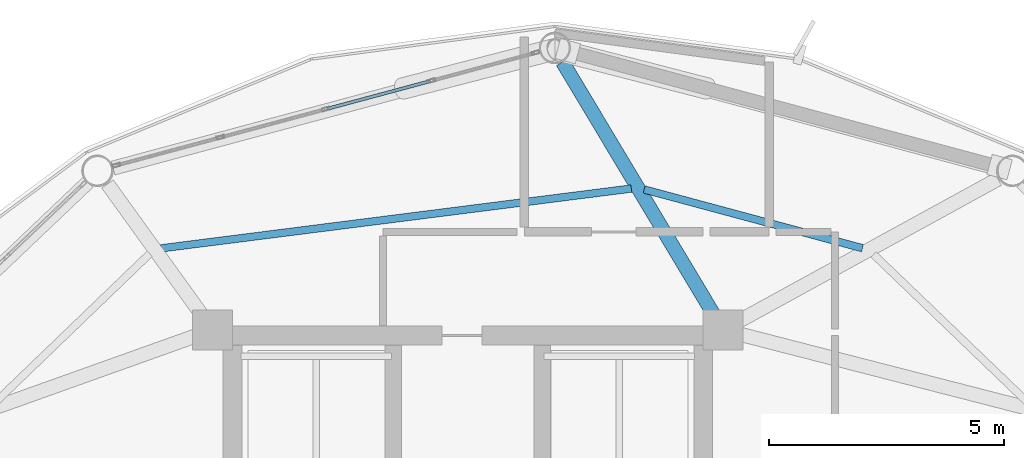
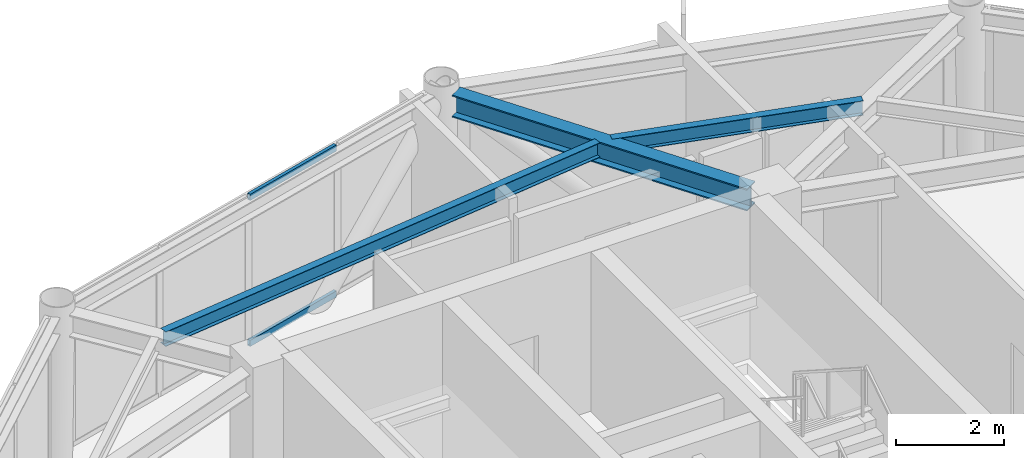
# One storey, part 20 of 29: 3 beams, 2 members, 1 element without a shape of its own.
"""IFC4 building model written with IfcOpenShell, lengths in metres."""

from ifc_helpers import new_model, si_unit, direction, frame, origin, origin_2d, place, context, subcontext, project, spatial, hollow_rectangle, i_section, extrude, material, layer, layer_set, material_profile, profile_set, type_object, element, aggregate, save


model = new_model("IFC4")

# Units and contexts
model_context = context("Model", 3, precision=1e-05, world=origin(), true_north=direction((0.0, 1.0)))
body_context = subcontext(model_context, "Body", "Model", "MODEL_VIEW")
ifc_project = project(units=[si_unit("LENGTHUNIT", "METRE"), si_unit("AREAUNIT", "SQUARE_METRE"), si_unit("VOLUMEUNIT", "CUBIC_METRE"), si_unit("PLANEANGLEUNIT", "RADIAN"), si_unit("MASSUNIT", "GRAM", prefix="KILO")], contexts=[model_context])

# Site, building, storey
site_placement = place(None, origin())
site = spatial("IfcSite", under=ifc_project, at=site_placement, CompositionType="ELEMENT")
building_placement = place(site_placement, origin())
building = spatial("IfcBuilding", under=site, at=building_placement, Name="Varnakorn Sky Granary", CompositionType="ELEMENT")
storey_placement = place(building_placement, frame((0.0, 0.0, 189.60009765625)))
storey = spatial("IfcBuildingStorey", under=building, at=storey_placement, Name="L47", CompositionType="ELEMENT", Elevation=189.60009765625)

# Beams
ifc_material_1 = material(Name="Steel S355JR", Category="steel")
ifc_material_profile_1 = material_profile(ifc_material_1, i_section(OverallWidth=0.300048828125, OverallDepth=0.5, WebThickness=0.014404296875, FlangeThickness=0.028076171875, at=origin_2d()), Name="HE 500 B")
ifc_profile_set_1 = profile_set([ifc_material_profile_1], Name="Steel S355JR")
beam_type_1 = type_object("IfcBeamType", Name="BM-RAD-Z4", PredefinedType="BEAM", material=ifc_profile_set_1)
beam_1_placement = place(storey_placement, frame((8.2119140625, 12.967529296875, 3.10986328125), z_axis=(-0.513815382376, 0.857900782628, 0.0), x_axis=(-0.857900782628, -0.513815382376, 0.0)))
element("IfcBeam", 1, at=beam_1_placement, inside=storey, type_object=beam_type_1, Name="Radial Floor Girder RG04 L47", PredefinedType="BEAM", context=body_context, shape_type="SweptSolid", body=[
    extrude(i_section(OverallWidth=0.300048828125, OverallDepth=0.5, WebThickness=0.014404296875, FlangeThickness=0.028076171875, at=origin_2d()), origin(), (0.0, 0.0, 1.0), 6.228271484375),
])
ifc_material_profile_2 = material_profile(ifc_material_1, i_section(OverallWidth=0.159912109375, OverallDepth=0.330078125, WebThickness=0.007568359375, FlangeThickness=0.011474609375, at=origin_2d()), Name="IPE 330")
ifc_profile_set_2 = profile_set([ifc_material_profile_2], Name="Steel S355JR")
beam_type_2 = type_object("IfcBeamType", Name="BM-SEC-Z4", PredefinedType="BEAM", material=ifc_profile_set_2)
beam_2_placement = place(storey_placement, frame((11.38330078125, 14.355224609375, 3.19482421875), z_axis=(-0.965650117976, 0.259845819002, 0.0), x_axis=(-0.259845819002, -0.965650117976, 0.0)))
element("IfcBeam", 2, at=beam_2_placement, inside=storey, type_object=beam_type_2, Name="Secondary Floor Chord Beam MSB03 L47", PredefinedType="BEAM", context=body_context, shape_type="SweptSolid", body=[
    extrude(i_section(OverallWidth=0.159912109375, OverallDepth=0.330078125, WebThickness=0.007568359375, FlangeThickness=0.011474609375, at=origin_2d()), origin(), (0.0, 0.0, 1.0), 4.80126953125),
])
beam_3_placement = place(storey_placement, frame((6.472900390625, 15.62158203125, 3.19482421875), z_axis=(-0.992014576544, -0.126123272734, 0.0), x_axis=(0.126123272734, -0.992014576544, 0.0)))
element("IfcBeam", 3, at=beam_3_placement, inside=storey, type_object=beam_type_2, Name="Secondary Floor Chord Beam MSB04 L47", PredefinedType="BEAM", context=body_context, shape_type="SweptSolid", body=[
    extrude(i_section(OverallWidth=0.159912109375, OverallDepth=0.330078125, WebThickness=0.007568359375, FlangeThickness=0.011474609375, at=origin_2d()), origin(), (0.0, 0.0, 1.0), 10.069580078125),
])

# Curtain wall, members
ifc_material_2 = material(Name="Anodised Bronze Aluminium Alloy 6063-T6", Category="aluminium")
ifc_layer = layer(ifc_material_2, 0.169921875, Name="Anodised Bronze Aluminium Alloy 6063-T6")
ifc_layer_set = layer_set([ifc_layer], Name="Anodised Bronze Aluminium Alloy 6063-T6")
curtain_wall_type = type_object("IfcCurtainWallType", Name="CW-LAB-1", PredefinedType="USERDEFINED", material=ifc_layer_set)
curtain_wall_placement = place(storey_placement, origin())
curtain_wall = element("IfcCurtainWall", 4, at=curtain_wall_placement, inside=storey, type_object=curtain_wall_type, Name="Unitised Curtain Wall CW5 CW-L47-B04", ObjectType="CURTAIN WALL", PredefinedType="USERDEFINED")
ifc_material_profile_3 = material_profile(ifc_material_2, hollow_rectangle(XDim=0.070068359375, YDim=0.139892578125, WallThickness=0.00341796875, at=origin_2d()), Name="ALU TRAN 70x140")
ifc_profile_set_3 = profile_set([ifc_material_profile_3], Name="Anodised Bronze Aluminium Alloy 6063-T6")
member_type = type_object("IfcMemberType", Name="CW-LAB-1-TRAN", PredefinedType="USERDEFINED", material=ifc_profile_set_3)
member_1_placement = place(storey_placement, frame((0.0205078125, 17.31787109375, 0.034912109375), z_axis=(0.965755601504, 0.259453499037, 0.0), x_axis=(-0.259453499037, 0.965755601504, 0.0)))
member_1 = element("IfcMember", 5, at=member_1_placement, type_object=member_type, Name="CW5 transom 3.1", ObjectType="TRANSOM", PredefinedType="USERDEFINED", context=body_context, shape_type="SweptSolid", body=[
    extrude(hollow_rectangle(XDim=0.070068359375, YDim=0.139892578125, WallThickness=0.00341796875, at=origin_2d()), origin(), (0.0, 0.0, 1.0), 2.256591796875),
])
member_2_placement = place(storey_placement, frame((0.0205078125, 17.31787109375, 3.324951171875), z_axis=(0.965755601504, 0.259453499037, 0.0), x_axis=(-0.259453499037, 0.965755601504, 0.0)))
member_2 = element("IfcMember", 6, at=member_2_placement, type_object=member_type, Name="CW5 transom 3.2", ObjectType="TRANSOM", PredefinedType="USERDEFINED", context=body_context, shape_type="SweptSolid", body=[
    extrude(hollow_rectangle(XDim=0.070068359375, YDim=0.139892578125, WallThickness=0.00341796875, at=origin_2d()), origin(), (0.0, 0.0, 1.0), 2.256591796875),
])
aggregate(curtain_wall, [member_1, member_2])

save(model, "model.ifc")
